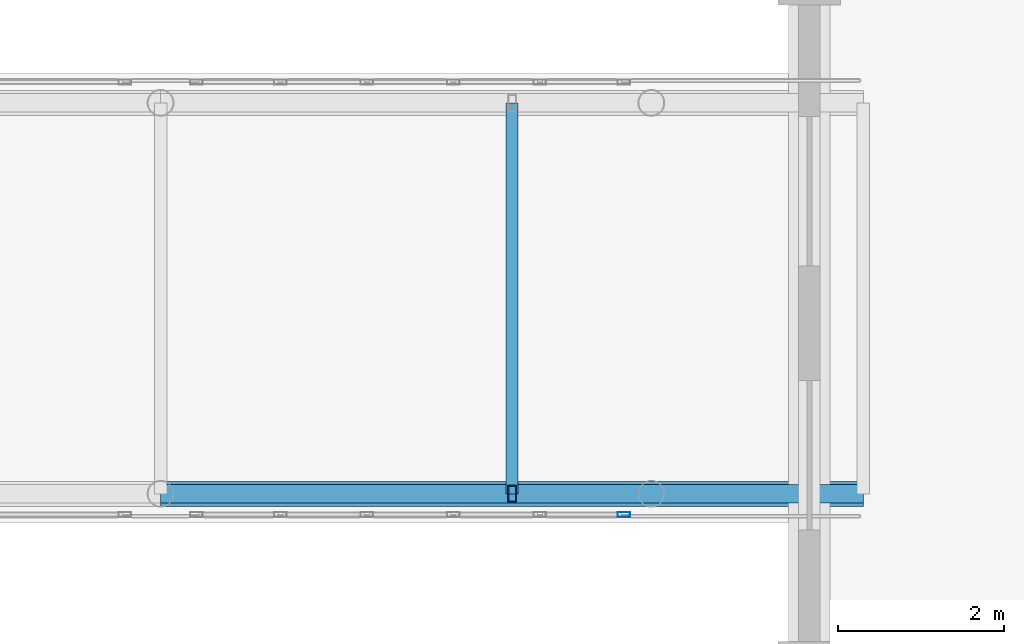
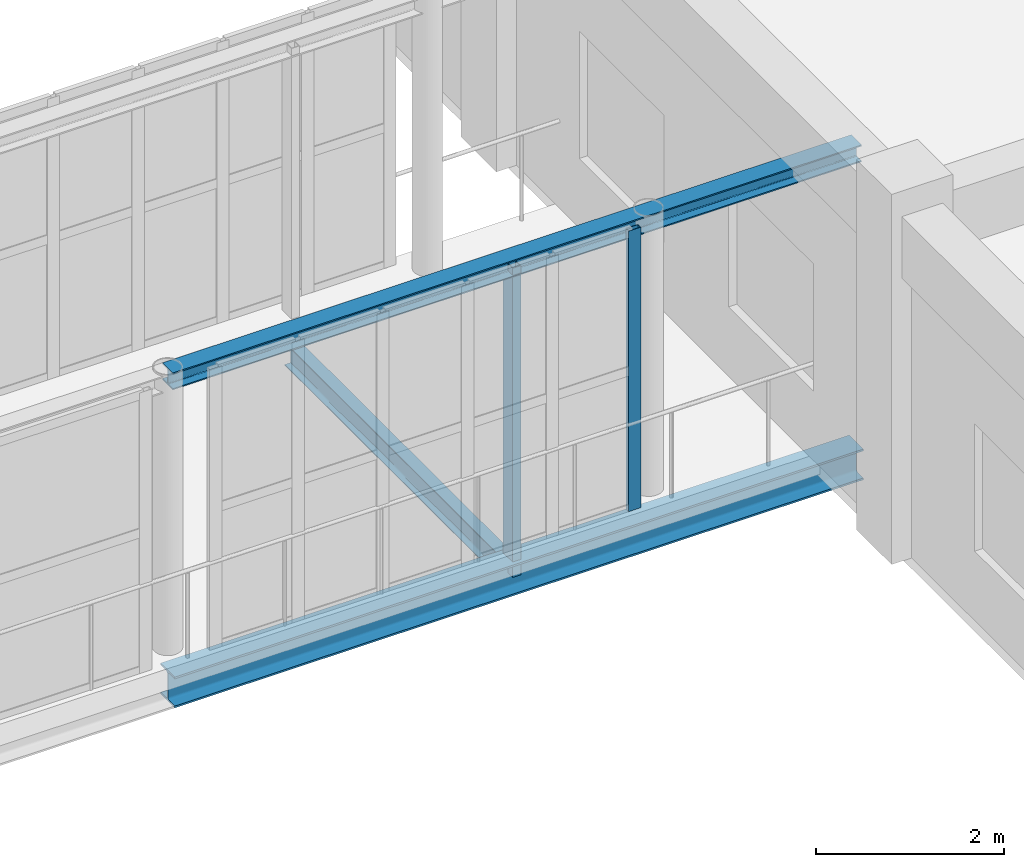
# One storey, part 55 of 175: 3 members, 2 beams, 1 element without a shape of its own.
"""IFC4 building model written with IfcOpenShell, lengths in metres."""

from ifc_helpers import new_model, si_unit, direction, frame, origin, origin_2d, place, context, subcontext, project, spatial, hollow_rectangle, i_section, extrude, material, layer, layer_set, material_profile, profile_set, type_object, element, aggregate, save


model = new_model("IFC4")

# Units and contexts
model_context = context("Model", 3, precision=1e-05, world=origin(), true_north=direction((0.0, 1.0)))
body_context = subcontext(model_context, "Body", "Model", "MODEL_VIEW")
ifc_project = project(units=[si_unit("LENGTHUNIT", "METRE"), si_unit("AREAUNIT", "SQUARE_METRE"), si_unit("VOLUMEUNIT", "CUBIC_METRE"), si_unit("PLANEANGLEUNIT", "RADIAN"), si_unit("MASSUNIT", "GRAM", prefix="KILO")], contexts=[model_context])

# Site, building, storey
site_placement = place(None, origin())
site = spatial("IfcSite", under=ifc_project, at=site_placement, CompositionType="ELEMENT")
building_placement = place(site_placement, origin())
building = spatial("IfcBuilding", under=site, at=building_placement, Name="Zizhar Promenade General Hospital", CompositionType="ELEMENT")
storey_placement = place(building_placement, frame((0.0, 0.0, 4.800048828125)))
storey = spatial("IfcBuildingStorey", under=building, at=storey_placement, Name="L01", CompositionType="ELEMENT", Elevation=4.800048828125)

# Beams
ifc_material_1 = material(Name="Steel S355", Category="steel")
ifc_material_profile_1 = material_profile(ifc_material_1, i_section(OverallWidth=0.300048828125, OverallDepth=0.39990234375, WebThickness=0.013427734375, FlangeThickness=0.02392578125, FilletRadius=0.027099609375, at=origin_2d()))
ifc_profile_set_1 = profile_set([ifc_material_profile_1], Name="Steel S355")
beam_type_1 = type_object("IfcBeamType", Name="BM-STL-HEB400", PredefinedType="BEAM", material=ifc_profile_set_1)
beam_1_placement = place(storey_placement, frame((117.0, 60.949951171875, -0.5), z_axis=(1.0, 0.0, 0.0), x_axis=(0.0, 1.0, 0.0)))
element("IfcBeam", 1, at=beam_1_placement, inside=storey, type_object=beam_type_1, Name="SB-1 Bottom Chord 4S", PredefinedType="BEAM", context=body_context, shape_type="SweptSolid", body=[
    extrude(i_section(OverallWidth=0.300048828125, OverallDepth=0.39990234375, WebThickness=0.013427734375, FlangeThickness=0.02392578125, FilletRadius=0.027099609375, at=origin_2d()), origin(), (0.0, 0.0, 1.0), 8.449951171875),
])
ifc_material_2 = material(Name="Steel S355", Category="steel")
ifc_material_profile_2 = material_profile(ifc_material_2, i_section(OverallWidth=0.14990234375, OverallDepth=0.300048828125, WebThickness=0.007080078125, FlangeThickness=0.0107421875, FilletRadius=0.014892578125, at=origin_2d()))
ifc_profile_set_2 = profile_set([ifc_material_profile_2], Name="Steel S355")
beam_type_2 = type_object("IfcBeamType", Name="BM-STL-IPE300", PredefinedType="JOIST", material=ifc_profile_set_2)
beam_2_placement = place(storey_placement, frame((121.22509765625, 60.949951171875, -0.5), z_axis=(0.0, 1.0, 0.0), x_axis=(-1.0, 0.0, 0.0)))
element("IfcBeam", 2, at=beam_2_placement, inside=storey, type_object=beam_type_2, Name="SB-1 Transverse Deck Beam 121.2", PredefinedType="JOIST", context=body_context, shape_type="SweptSolid", body=[
    extrude(i_section(OverallWidth=0.14990234375, OverallDepth=0.300048828125, WebThickness=0.007080078125, FlangeThickness=0.0107421875, FilletRadius=0.014892578125, at=origin_2d()), origin(), (0.0, 0.0, 1.0), 4.699951171875),
])

# Curtain wall, member
ifc_material_3 = material(Name="Anodised aluminium 6063-T6 and low-E glass", Category="aluminium")
ifc_layer = layer(ifc_material_3, 0.159912109375)
ifc_layer_set = layer_set([ifc_layer], Name="Anodised aluminium 6063-T6 and low-E glass")
curtain_wall_type = type_object("IfcCurtainWallType", Name="CW-SKY-GLZ", PredefinedType="NOTDEFINED", material=ifc_layer_set)
curtain_wall_placement = place(storey_placement, origin())
curtain_wall = element("IfcCurtainWall", 3, at=curtain_wall_placement, inside=storey, type_object=curtain_wall_type, Name="Courtyard Clinical Skybridge Level L01 South Glazing 4", PredefinedType="NOTDEFINED")
ifc_material_4 = material(Name="Anodised aluminium 6063-T6", Category="aluminium")
ifc_material_profile_3 = material_profile(ifc_material_4, hollow_rectangle(XDim=0.06005859375, YDim=0.14990234375, WallThickness=0.00390625, at=origin_2d()))
ifc_profile_set_3 = profile_set([ifc_material_profile_3], Name="Anodised aluminium 6063-T6")
member_type_1 = type_object("IfcMemberType", Name="CWM-ALU-150x60", PredefinedType="MULLION", material=ifc_profile_set_3)
member_1_placement = place(storey_placement, frame((122.570068359375, 60.699951171875, 0.0), z_axis=(0.0, 0.0, 1.0), x_axis=(0.0, -1.0, 0.0)))
member_1 = element("IfcMember", 4, at=member_1_placement, type_object=member_type_1, Name="CW-15 mullion 1", PredefinedType="MULLION", context=body_context, shape_type="SweptSolid", body=[
    extrude(hollow_rectangle(XDim=0.06005859375, YDim=0.14990234375, WallThickness=0.00390625, at=origin_2d()), origin(), (0.0, 0.0, 1.0), 3.639892578125),
])
aggregate(curtain_wall, [member_1])

# Members
ifc_material_5 = material(Name="Steel S355", Category="steel")
ifc_material_profile_4 = material_profile(ifc_material_5, i_section(OverallWidth=0.219970703125, OverallDepth=0.219970703125, WebThickness=0.009521484375, FlangeThickness=0.01611328125, FilletRadius=0.01806640625, at=origin_2d()))
ifc_profile_set_4 = profile_set([ifc_material_profile_4], Name="Steel S355")
member_type_2 = type_object("IfcMemberType", Name="MEM-CHORD-HEB220", PredefinedType="CHORD", material=ifc_profile_set_4)
member_2_placement = place(storey_placement, frame((117.0, 60.949951171875, 3.510009765625), z_axis=(1.0, 0.0, 0.0), x_axis=(0.0, 1.0, 0.0)))
element("IfcMember", 5, at=member_2_placement, inside=storey, type_object=member_type_2, Name="SB-1 Top Chord 4S", PredefinedType="CHORD", context=body_context, shape_type="SweptSolid", body=[
    extrude(i_section(OverallWidth=0.219970703125, OverallDepth=0.219970703125, WebThickness=0.009521484375, FlangeThickness=0.01611328125, FilletRadius=0.01806640625, at=origin_2d()), origin(), (0.0, 0.0, 1.0), 8.449951171875),
])
ifc_material_6 = material(Name="Steel S355", Category="steel")
ifc_material_profile_5 = material_profile(ifc_material_6, hollow_rectangle(XDim=0.10009765625, YDim=0.199951171875, WallThickness=0.008056640625, at=origin_2d()))
ifc_profile_set_5 = profile_set([ifc_material_profile_5], Name="Steel S355")
member_type_3 = type_object("IfcMemberType", Name="MEM-STRUT-RHS200", PredefinedType="STRUT", material=ifc_profile_set_5)
member_3_placement = place(storey_placement, frame((121.22509765625, 60.949951171875, -0.5), z_axis=(0.0, 0.0, 1.0), x_axis=(1.0, 0.0, 0.0)))
element("IfcMember", 6, at=member_3_placement, inside=storey, type_object=member_type_3, Name="SB-1 Vierendeel Post 4S", PredefinedType="STRUT", context=body_context, shape_type="SweptSolid", body=[
    extrude(hollow_rectangle(XDim=0.10009765625, YDim=0.199951171875, WallThickness=0.008056640625, at=origin_2d()), origin(), (0.0, 0.0, 1.0), 4.010009765625),
])

save(model, "model.ifc")
